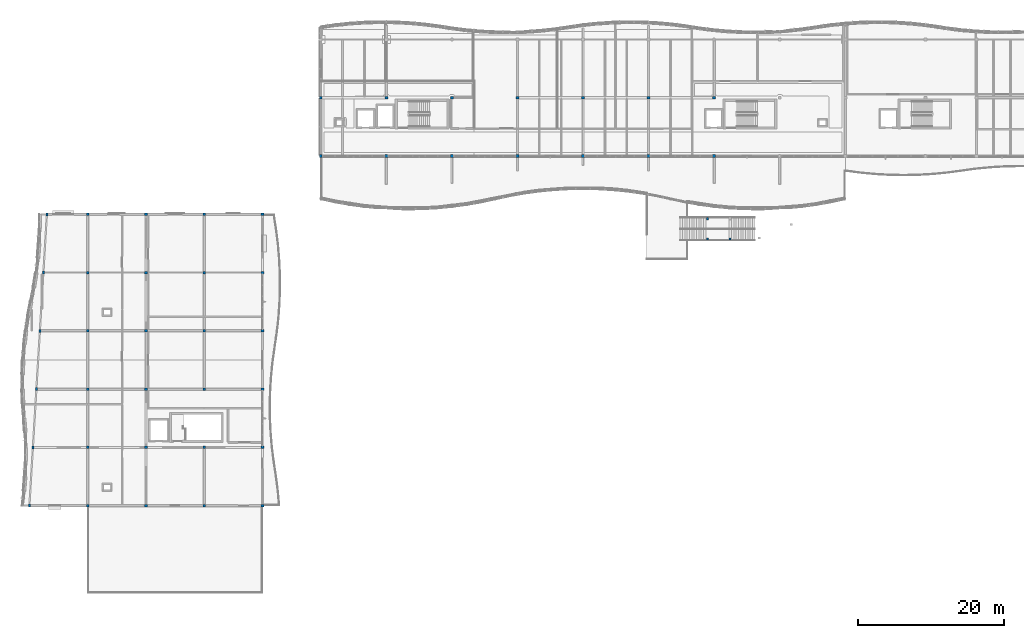
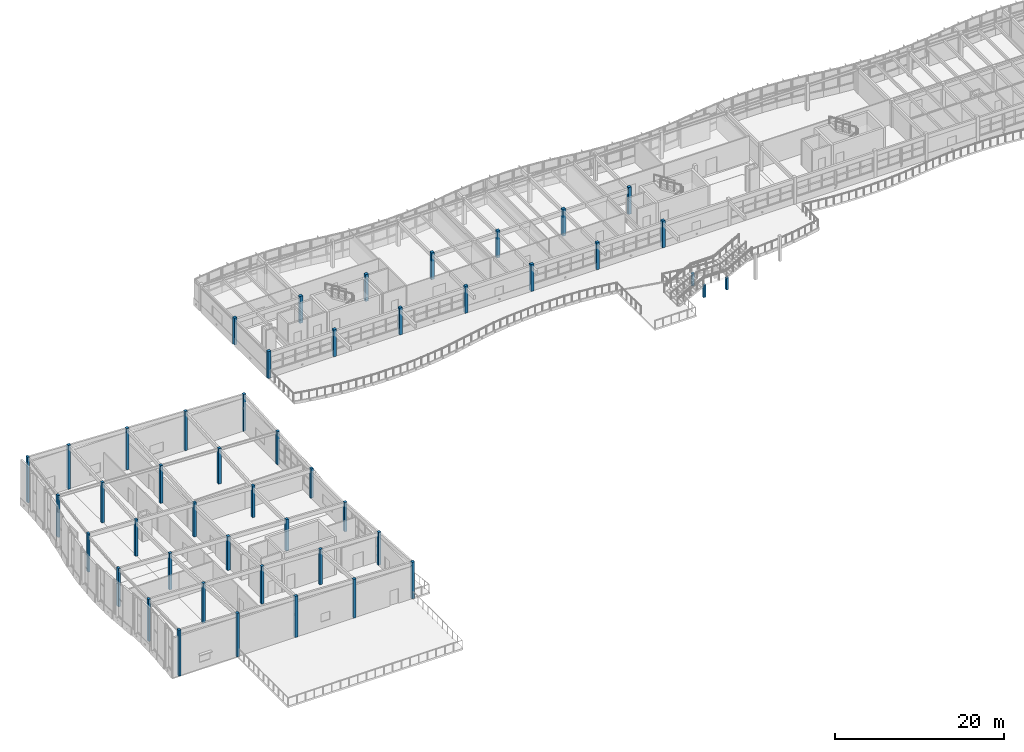
# One storey, part 1 of 52: 47 columns.
"""IFC4 building model written with IfcOpenShell, lengths in metres."""

from ifc_helpers import new_model, si_unit, direction, frame, origin, origin_2d, place, context, subcontext, project, spatial, rectangle, extrude, material, material_profile, profile_set, type_object, element, save


model = new_model("IFC4")

# Units and contexts
model_context = context("Model", 3, precision=1e-05, world=origin(), true_north=direction((0.0, 1.0)))
body_context = subcontext(model_context, "Body", "Model", "MODEL_VIEW")
ifc_project = project(units=[si_unit("LENGTHUNIT", "METRE"), si_unit("AREAUNIT", "SQUARE_METRE"), si_unit("VOLUMEUNIT", "CUBIC_METRE"), si_unit("PLANEANGLEUNIT", "RADIAN"), si_unit("MASSUNIT", "GRAM", prefix="KILO")], contexts=[model_context])

# Site, building, storey
site_placement = place(None, origin())
site = spatial("IfcSite", under=ifc_project, at=site_placement, CompositionType="ELEMENT")
building_placement = place(site_placement, origin())
building = spatial("IfcBuilding", under=site, at=building_placement, Name="Tonlespit Floodbar School", CompositionType="ELEMENT")
storey_placement = place(building_placement, frame((0.0, 0.0, 12.300048828125)))
storey = spatial("IfcBuildingStorey", under=building, at=storey_placement, Name="L03", CompositionType="ELEMENT", Elevation=12.300048828125)

# Columns
ifc_material = material(Name="Glulam GL28h", Category="wood")
ifc_material_profile_1 = material_profile(ifc_material, rectangle(XDim=0.320068359375, YDim=0.320068359375, at=origin_2d()), Name="GL 320x320")
ifc_profile_set_1 = profile_set([ifc_material_profile_1], Name="Glulam GL28h")
column_type_1 = type_object("IfcColumnType", Name="Column_GL_320x320", PredefinedType="COLUMN", material=ifc_profile_set_1)
for number, where, z_axis, x_axis, name in (
    (1, (97.080078125, 92.6201171875, 0.0), (0.0, 0.0, 1.0), (1.0, 0.0, 0.0), "L03 stair ST-CT4 landing column 1"),
    (2, (100.179931640625, 92.6201171875, 0.0), (0.0, 0.0, 1.0), (1.0, 0.0, 0.0), "L03 stair ST-CT4 landing column 2"),
    (3, (97.080078125, 95.3798828125, 0.0), (0.0, 0.0, 1.0), (1.0, 0.0, 0.0), "L03 stair ST-CT4 landing column 4"),
):
    element("IfcColumn", number, at=place(storey_placement, frame(where, z_axis=z_axis, x_axis=x_axis)), inside=storey, type_object=column_type_1, Name=name, PredefinedType="COLUMN", context=body_context, shape_type="SweptSolid", body=[
        extrude(rectangle(XDim=0.320068359375, YDim=0.320068359375, at=origin_2d()), origin(), (0.0, 0.0, 1.0), 1.75),
    ])
ifc_material_profile_2 = material_profile(ifc_material, rectangle(XDim=0.360107421875, YDim=0.360107421875, at=origin_2d()), Name="GL 360x360")
ifc_profile_set_2 = profile_set([ifc_material_profile_2], Name="Glulam GL28h")
column_type_2 = type_object("IfcColumnType", Name="Column_GL_360x360", PredefinedType="COLUMN", material=ifc_profile_set_2)
column_1_placement = place(storey_placement, frame((12.0, 56.0, 0.0), z_axis=(0.0, 0.0, 1.0), x_axis=(1.0, 0.0, 0.0)))
element("IfcColumn", 4, at=column_1_placement, inside=storey, type_object=column_type_2, Name="L03 column U02/V09", PredefinedType="COLUMN", context=body_context, shape_type="SweptSolid", body=[
    extrude(rectangle(XDim=0.360107421875, YDim=0.360107421875, at=origin_2d()), origin(), (0.0, 0.0, 1.0), 6.318359375),
])
column_2_placement = place(storey_placement, frame((12.0, 64.0, 0.0), z_axis=(0.0, 0.0, 1.0), x_axis=(1.0, 0.0, 0.0)))
element("IfcColumn", 5, at=column_2_placement, inside=storey, type_object=column_type_2, Name="L03 column U02/V10", PredefinedType="COLUMN", context=body_context, shape_type="SweptSolid", body=[
    extrude(rectangle(XDim=0.360107421875, YDim=0.360107421875, at=origin_2d()), origin(), (0.0, 0.0, 1.0), 5.7890625),
])
column_3_placement = place(storey_placement, frame((12.0, 72.0, 0.0), z_axis=(0.0, 0.0, 1.0), x_axis=(1.0, 0.0, 0.0)))
element("IfcColumn", 6, at=column_3_placement, inside=storey, type_object=column_type_2, Name="L03 column U02/V11", PredefinedType="COLUMN", context=body_context, shape_type="SweptSolid", body=[
    extrude(rectangle(XDim=0.360107421875, YDim=0.360107421875, at=origin_2d()), origin(), (0.0, 0.0, 1.0), 5.259521484375),
])
column_4_placement = place(storey_placement, frame((12.0, 80.0, 0.0), z_axis=(0.0, 0.0, 1.0), x_axis=(1.0, 0.0, 0.0)))
element("IfcColumn", 7, at=column_4_placement, inside=storey, type_object=column_type_2, Name="L03 column U02/V12", PredefinedType="COLUMN", context=body_context, shape_type="SweptSolid", body=[
    extrude(rectangle(XDim=0.360107421875, YDim=0.360107421875, at=origin_2d()), origin(), (0.0, 0.0, 1.0), 5.269287109375),
])
column_5_placement = place(storey_placement, frame((12.0, 88.0, 0.0), z_axis=(0.0, 0.0, 1.0), x_axis=(1.0, 0.0, 0.0)))
element("IfcColumn", 8, at=column_5_placement, inside=storey, type_object=column_type_2, Name="L03 column U02/V13", PredefinedType="COLUMN", context=body_context, shape_type="SweptSolid", body=[
    extrude(rectangle(XDim=0.360107421875, YDim=0.360107421875, at=origin_2d()), origin(), (0.0, 0.0, 1.0), 5.818359375),
])
column_6_placement = place(storey_placement, frame((12.0, 96.0, 0.0), z_axis=(0.0, 0.0, 1.0), x_axis=(1.0, 0.0, 0.0)))
element("IfcColumn", 9, at=column_6_placement, inside=storey, type_object=column_type_2, Name="L03 column U02/V14", PredefinedType="COLUMN", context=body_context, shape_type="SweptSolid", body=[
    extrude(rectangle(XDim=0.360107421875, YDim=0.360107421875, at=origin_2d()), origin(), (0.0, 0.0, 1.0), 6.367431640625),
])
column_7_placement = place(storey_placement, frame((20.0, 56.0, 0.0), z_axis=(0.0, 0.0, 1.0), x_axis=(1.0, 0.0, 0.0)))
element("IfcColumn", 10, at=column_7_placement, inside=storey, type_object=column_type_2, Name="L03 column U03/V09", PredefinedType="COLUMN", context=body_context, shape_type="SweptSolid", body=[
    extrude(rectangle(XDim=0.360107421875, YDim=0.360107421875, at=origin_2d()), origin(), (0.0, 0.0, 1.0), 5.97705078125),
])
column_8_placement = place(storey_placement, frame((20.0, 64.0, 0.0), z_axis=(0.0, 0.0, 1.0), x_axis=(1.0, 0.0, 0.0)))
element("IfcColumn", 11, at=column_8_placement, inside=storey, type_object=column_type_2, Name="L03 column U03/V10", PredefinedType="COLUMN", context=body_context, shape_type="SweptSolid", body=[
    extrude(rectangle(XDim=0.360107421875, YDim=0.360107421875, at=origin_2d()), origin(), (0.0, 0.0, 1.0), 5.44775390625),
])
column_9_placement = place(storey_placement, frame((20.0, 72.0, 0.0), z_axis=(0.0, 0.0, 1.0), x_axis=(1.0, 0.0, 0.0)))
element("IfcColumn", 12, at=column_9_placement, inside=storey, type_object=column_type_2, Name="L03 column U03/V11", PredefinedType="COLUMN", context=body_context, shape_type="SweptSolid", body=[
    extrude(rectangle(XDim=0.360107421875, YDim=0.360107421875, at=origin_2d()), origin(), (0.0, 0.0, 1.0), 4.91845703125),
])
column_10_placement = place(storey_placement, frame((20.0, 80.0, 0.0), z_axis=(0.0, 0.0, 1.0), x_axis=(1.0, 0.0, 0.0)))
element("IfcColumn", 13, at=column_10_placement, inside=storey, type_object=column_type_2, Name="L03 column U03/V12", PredefinedType="COLUMN", context=body_context, shape_type="SweptSolid", body=[
    extrude(rectangle(XDim=0.360107421875, YDim=0.360107421875, at=origin_2d()), origin(), (0.0, 0.0, 1.0), 4.92822265625),
])
column_11_placement = place(storey_placement, frame((20.0, 88.0, 0.0), z_axis=(0.0, 0.0, 1.0), x_axis=(1.0, 0.0, 0.0)))
element("IfcColumn", 14, at=column_11_placement, inside=storey, type_object=column_type_2, Name="L03 column U03/V13", PredefinedType="COLUMN", context=body_context, shape_type="SweptSolid", body=[
    extrude(rectangle(XDim=0.360107421875, YDim=0.360107421875, at=origin_2d()), origin(), (0.0, 0.0, 1.0), 5.47705078125),
])
column_12_placement = place(storey_placement, frame((20.0, 96.0, 0.0), z_axis=(0.0, 0.0, 1.0), x_axis=(1.0, 0.0, 0.0)))
element("IfcColumn", 15, at=column_12_placement, inside=storey, type_object=column_type_2, Name="L03 column U03/V14", PredefinedType="COLUMN", context=body_context, shape_type="SweptSolid", body=[
    extrude(rectangle(XDim=0.360107421875, YDim=0.360107421875, at=origin_2d()), origin(), (0.0, 0.0, 1.0), 6.026123046875),
])
column_13_placement = place(storey_placement, frame((28.0, 56.0, 0.0), z_axis=(0.0, 0.0, 1.0), x_axis=(1.0, 0.0, 0.0)))
element("IfcColumn", 16, at=column_13_placement, inside=storey, type_object=column_type_2, Name="L03 column U04/V09", PredefinedType="COLUMN", context=body_context, shape_type="SweptSolid", body=[
    extrude(rectangle(XDim=0.360107421875, YDim=0.360107421875, at=origin_2d()), origin(), (0.0, 0.0, 1.0), 5.635986328125),
])
column_14_placement = place(storey_placement, frame((28.0, 64.0, 0.0), z_axis=(0.0, 0.0, 1.0), x_axis=(1.0, 0.0, 0.0)))
element("IfcColumn", 17, at=column_14_placement, inside=storey, type_object=column_type_2, Name="L03 column U04/V10", PredefinedType="COLUMN", context=body_context, shape_type="SweptSolid", body=[
    extrude(rectangle(XDim=0.360107421875, YDim=0.360107421875, at=origin_2d()), origin(), (0.0, 0.0, 1.0), 5.1064453125),
])
column_15_placement = place(storey_placement, frame((28.0, 72.0, 0.0), z_axis=(0.0, 0.0, 1.0), x_axis=(1.0, 0.0, 0.0)))
element("IfcColumn", 18, at=column_15_placement, inside=storey, type_object=column_type_2, Name="L03 column U04/V11", PredefinedType="COLUMN", context=body_context, shape_type="SweptSolid", body=[
    extrude(rectangle(XDim=0.360107421875, YDim=0.360107421875, at=origin_2d()), origin(), (0.0, 0.0, 1.0), 4.5771484375),
])
column_16_placement = place(storey_placement, frame((28.0, 80.0, 0.0), z_axis=(0.0, 0.0, 1.0), x_axis=(1.0, 0.0, 0.0)))
element("IfcColumn", 19, at=column_16_placement, inside=storey, type_object=column_type_2, Name="L03 column U04/V12", PredefinedType="COLUMN", context=body_context, shape_type="SweptSolid", body=[
    extrude(rectangle(XDim=0.360107421875, YDim=0.360107421875, at=origin_2d()), origin(), (0.0, 0.0, 1.0), 4.5869140625),
])
column_17_placement = place(storey_placement, frame((28.0, 88.0, 0.0), z_axis=(0.0, 0.0, 1.0), x_axis=(1.0, 0.0, 0.0)))
element("IfcColumn", 20, at=column_17_placement, inside=storey, type_object=column_type_2, Name="L03 column U04/V13", PredefinedType="COLUMN", context=body_context, shape_type="SweptSolid", body=[
    extrude(rectangle(XDim=0.360107421875, YDim=0.360107421875, at=origin_2d()), origin(), (0.0, 0.0, 1.0), 5.135986328125),
])
column_18_placement = place(storey_placement, frame((28.0, 96.0, 0.0), z_axis=(0.0, 0.0, 1.0), x_axis=(1.0, 0.0, 0.0)))
element("IfcColumn", 21, at=column_18_placement, inside=storey, type_object=column_type_2, Name="L03 column U04/V14", PredefinedType="COLUMN", context=body_context, shape_type="SweptSolid", body=[
    extrude(rectangle(XDim=0.360107421875, YDim=0.360107421875, at=origin_2d()), origin(), (0.0, 0.0, 1.0), 5.68505859375),
])
column_19_placement = place(storey_placement, frame((36.0, 56.0, 0.0), z_axis=(0.0, 0.0, 1.0), x_axis=(1.0, 0.0, 0.0)))
element("IfcColumn", 22, at=column_19_placement, inside=storey, type_object=column_type_2, Name="L03 column U05/V09", PredefinedType="COLUMN", context=body_context, shape_type="SweptSolid", body=[
    extrude(rectangle(XDim=0.360107421875, YDim=0.360107421875, at=origin_2d()), origin(), (0.0, 0.0, 1.0), 5.294921875),
])
column_20_placement = place(storey_placement, frame((36.0, 64.0, 0.0), z_axis=(0.0, 0.0, 1.0), x_axis=(1.0, 0.0, 0.0)))
element("IfcColumn", 23, at=column_20_placement, inside=storey, type_object=column_type_2, Name="L03 column U05/V10", PredefinedType="COLUMN", context=body_context, shape_type="SweptSolid", body=[
    extrude(rectangle(XDim=0.360107421875, YDim=0.360107421875, at=origin_2d()), origin(), (0.0, 0.0, 1.0), 4.765380859375),
])
column_21_placement = place(storey_placement, frame((36.0, 72.0, 0.0), z_axis=(0.0, 0.0, 1.0), x_axis=(1.0, 0.0, 0.0)))
element("IfcColumn", 24, at=column_21_placement, inside=storey, type_object=column_type_2, Name="L03 column U05/V11", PredefinedType="COLUMN", context=body_context, shape_type="SweptSolid", body=[
    extrude(rectangle(XDim=0.360107421875, YDim=0.360107421875, at=origin_2d()), origin(), (0.0, 0.0, 1.0), 4.23583984375),
])
column_22_placement = place(storey_placement, frame((36.0, 80.0, 0.0), z_axis=(0.0, 0.0, 1.0), x_axis=(1.0, 0.0, 0.0)))
element("IfcColumn", 25, at=column_22_placement, inside=storey, type_object=column_type_2, Name="L03 column U05/V12", PredefinedType="COLUMN", context=body_context, shape_type="SweptSolid", body=[
    extrude(rectangle(XDim=0.360107421875, YDim=0.360107421875, at=origin_2d()), origin(), (0.0, 0.0, 1.0), 4.245849609375),
])
column_23_placement = place(storey_placement, frame((36.0, 88.0, 0.0), z_axis=(0.0, 0.0, 1.0), x_axis=(1.0, 0.0, 0.0)))
element("IfcColumn", 26, at=column_23_placement, inside=storey, type_object=column_type_2, Name="L03 column U05/V13", PredefinedType="COLUMN", context=body_context, shape_type="SweptSolid", body=[
    extrude(rectangle(XDim=0.360107421875, YDim=0.360107421875, at=origin_2d()), origin(), (0.0, 0.0, 1.0), 4.794921875),
])
column_24_placement = place(storey_placement, frame((36.0, 96.0, 0.0), z_axis=(0.0, 0.0, 1.0), x_axis=(1.0, 0.0, 0.0)))
element("IfcColumn", 27, at=column_24_placement, inside=storey, type_object=column_type_2, Name="L03 column U05/V14", PredefinedType="COLUMN", context=body_context, shape_type="SweptSolid", body=[
    extrude(rectangle(XDim=0.360107421875, YDim=0.360107421875, at=origin_2d()), origin(), (0.0, 0.0, 1.0), 5.34375),
])
ifc_material_profile_3 = material_profile(ifc_material, rectangle(XDim=0.39990234375, YDim=0.39990234375, at=origin_2d()), Name="GL 400x400")
ifc_profile_set_3 = profile_set([ifc_material_profile_3], Name="Glulam GL28h")
column_type_3 = type_object("IfcColumnType", Name="Column_GL_400x400", PredefinedType="COLUMN", material=ifc_profile_set_3)
for number, where, z_axis, x_axis, name in (
    (28, (44.0, 104.0, 0.0), (0.0, 0.0, 1.0), (1.0, 0.0, 0.0), "L03 column U06/V15"),
    (29, (44.0, 112.0, 0.0), (0.0, 0.0, 1.0), (1.0, 0.0, 0.0), "L03 column U06/V16"),
    (30, (53.0, 104.0, 0.0), (0.0, 0.0, 1.0), (1.0, 0.0, 0.0), "L03 column U07/V15"),
    (31, (53.0, 112.0, 0.0), (0.0, 0.0, 1.0), (1.0, 0.0, 0.0), "L03 column U07/V16"),
    (32, (62.0, 104.0, 0.0), (0.0, 0.0, 1.0), (1.0, 0.0, 0.0), "L03 column U08/V15"),
    (33, (62.0, 112.0, 0.0), (0.0, 0.0, 1.0), (1.0, 0.0, 0.0), "L03 column U08/V16"),
    (34, (71.0, 104.0, 0.0), (0.0, 0.0, 1.0), (1.0, 0.0, 0.0), "L03 column U09/V15"),
    (35, (71.0, 112.0, 0.0), (0.0, 0.0, 1.0), (1.0, 0.0, 0.0), "L03 column U09/V16"),
    (36, (80.0, 104.0, 0.0), (0.0, 0.0, 1.0), (1.0, 0.0, 0.0), "L03 column U10/V15"),
    (37, (80.0, 112.0, 0.0), (0.0, 0.0, 1.0), (1.0, 0.0, 0.0), "L03 column U10/V16"),
    (38, (89.0, 104.0, 0.0), (0.0, 0.0, 1.0), (1.0, 0.0, 0.0), "L03 column U11/V15"),
    (39, (89.0, 112.0, 0.0), (0.0, 0.0, 1.0), (1.0, 0.0, 0.0), "L03 column U11/V16"),
    (40, (98.0, 104.0, 0.0), (0.0, 0.0, 1.0), (1.0, 0.0, 0.0), "L03 column U12/V15"),
    (41, (98.0, 112.0, 0.0), (0.0, 0.0, 1.0), (1.0, 0.0, 0.0), "L03 column U12/V16"),
):
    element("IfcColumn", number, at=place(storey_placement, frame(where, z_axis=z_axis, x_axis=x_axis)), inside=storey, type_object=column_type_3, Name=name, PredefinedType="COLUMN", context=body_context, shape_type="SweptSolid", body=[
        extrude(rectangle(XDim=0.39990234375, YDim=0.39990234375, at=origin_2d()), origin(), (0.0, 0.0, 1.0), 3.89990234375),
    ])
ifc_material_profile_4 = material_profile(ifc_material, rectangle(XDim=0.280029296875, YDim=0.419921875, at=origin_2d()), Name="GL 280x420")
ifc_profile_set_4 = profile_set([ifc_material_profile_4], Name="Glulam GL28h")
column_type_4 = type_object("IfcColumnType", Name="Pilaster_GL_280x420", PredefinedType="PILASTER", material=ifc_profile_set_4)
column_25_placement = place(storey_placement, frame((4.0, 56.0, 0.0), z_axis=(0.0, 0.0, 1.0), x_axis=(1.0, 0.0, 0.0)))
element("IfcColumn", 42, at=column_25_placement, inside=storey, type_object=column_type_4, Name="L03 column U01S/V09", PredefinedType="PILASTER", context=body_context, shape_type="SweptSolid", body=[
    extrude(rectangle(XDim=0.280029296875, YDim=0.419921875, at=origin_2d()), origin(), (0.0, 0.0, 1.0), 6.65966796875),
])
column_26_placement = place(storey_placement, frame((4.47998046875, 64.0, 0.0), z_axis=(0.0, 0.0, 1.0), x_axis=(1.0, 0.0, 0.0)))
element("IfcColumn", 43, at=column_26_placement, inside=storey, type_object=column_type_4, Name="L03 column U01S/V10", PredefinedType="PILASTER", context=body_context, shape_type="SweptSolid", body=[
    extrude(rectangle(XDim=0.280029296875, YDim=0.419921875, at=origin_2d()), origin(), (0.0, 0.0, 1.0), 6.109619140625),
])
column_27_placement = place(storey_placement, frame((4.9599609375, 72.0, 0.0), z_axis=(0.0, 0.0, 1.0), x_axis=(1.0, 0.0, 0.0)))
element("IfcColumn", 44, at=column_27_placement, inside=storey, type_object=column_type_4, Name="L03 column U01S/V11", PredefinedType="PILASTER", context=body_context, shape_type="SweptSolid", body=[
    extrude(rectangle(XDim=0.280029296875, YDim=0.419921875, at=origin_2d()), origin(), (0.0, 0.0, 1.0), 5.559814453125),
])
column_28_placement = place(storey_placement, frame((5.43994140625, 80.0, 0.0), z_axis=(0.0, 0.0, 1.0), x_axis=(1.0, 0.0, 0.0)))
element("IfcColumn", 45, at=column_28_placement, inside=storey, type_object=column_type_4, Name="L03 column U01S/V12", PredefinedType="PILASTER", context=body_context, shape_type="SweptSolid", body=[
    extrude(rectangle(XDim=0.280029296875, YDim=0.419921875, at=origin_2d()), origin(), (0.0, 0.0, 1.0), 5.549072265625),
])
column_29_placement = place(storey_placement, frame((5.919921875, 88.0, 0.0), z_axis=(0.0, 0.0, 1.0), x_axis=(1.0, 0.0, 0.0)))
element("IfcColumn", 46, at=column_29_placement, inside=storey, type_object=column_type_4, Name="L03 column U01S/V13", PredefinedType="PILASTER", context=body_context, shape_type="SweptSolid", body=[
    extrude(rectangle(XDim=0.280029296875, YDim=0.419921875, at=origin_2d()), origin(), (0.0, 0.0, 1.0), 6.07763671875),
])
column_30_placement = place(storey_placement, frame((6.39990234375, 96.0, 0.0), z_axis=(0.0, 0.0, 1.0), x_axis=(1.0, 0.0, 0.0)))
element("IfcColumn", 47, at=column_30_placement, inside=storey, type_object=column_type_4, Name="L03 column U01S/V14", PredefinedType="PILASTER", context=body_context, shape_type="SweptSolid", body=[
    extrude(rectangle(XDim=0.280029296875, YDim=0.419921875, at=origin_2d()), origin(), (0.0, 0.0, 1.0), 6.606201171875),
])

save(model, "model.ifc")
